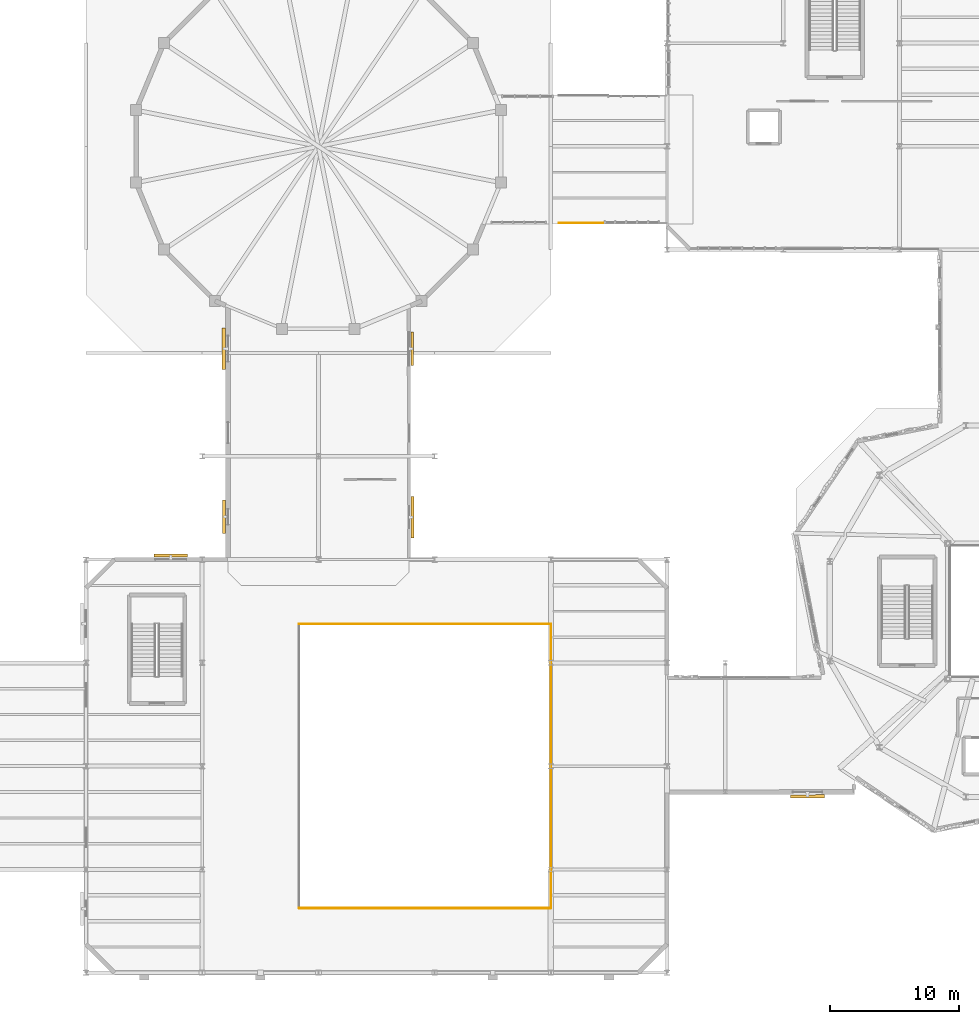
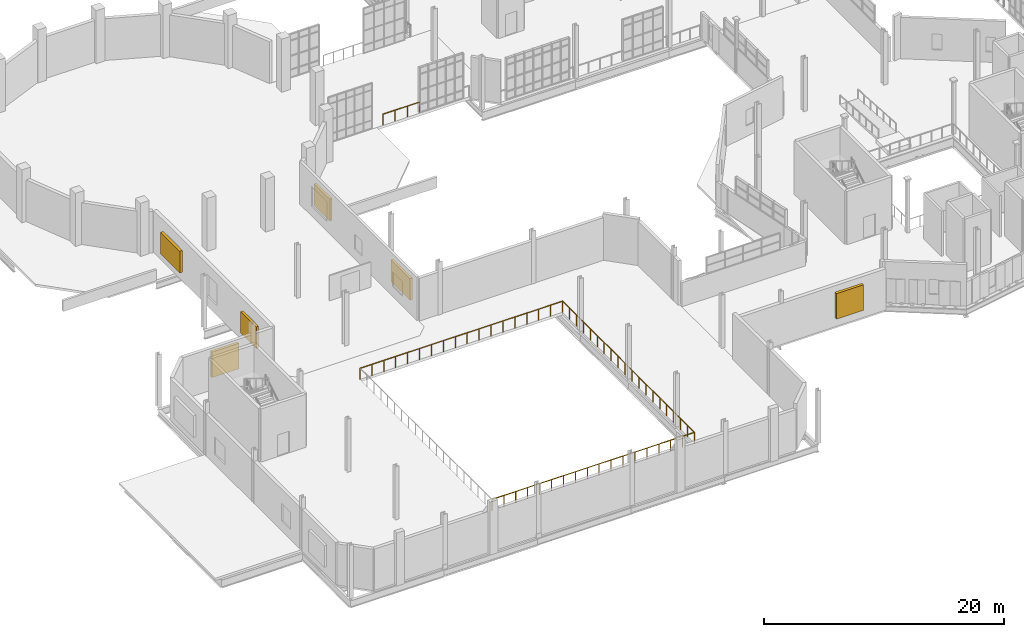
# One storey, part 132 of 142: 6 shading devices, 4 railings.
"""IFC4 building model written with IfcOpenShell, lengths in metres."""

from ifc_helpers import new_model, si_unit, direction, frame, frame_2d, origin, origin_2d, place, context, subcontext, project, spatial, rectangle, circle, extrude, material, type_object, element, save


model = new_model("IFC4")

# Units and contexts
model_context = context("Model", 3, precision=1e-05, world=origin(), true_north=direction((0.0, 1.0)))
body_context = subcontext(model_context, "Body", "Model", "MODEL_VIEW")
ifc_project = project(units=[si_unit("LENGTHUNIT", "METRE"), si_unit("AREAUNIT", "SQUARE_METRE"), si_unit("VOLUMEUNIT", "CUBIC_METRE"), si_unit("PLANEANGLEUNIT", "RADIAN"), si_unit("MASSUNIT", "GRAM", prefix="KILO"), si_unit("THERMODYNAMICTEMPERATUREUNIT", "KELVIN"), si_unit("POWERUNIT", "WATT")], contexts=[model_context])

# Site, building, storey
site_placement = place(None, origin())
site = spatial("IfcSite", under=ifc_project, at=site_placement, CompositionType="ELEMENT")
building_placement = place(site_placement, origin())
building = spatial("IfcBuilding", under=site, at=building_placement, Name="Zelmaris Science Centre", CompositionType="ELEMENT")
storey_placement = place(building_placement, frame((0.0, 0.0, 5.39990234375)))
storey = spatial("IfcBuildingStorey", under=building, at=storey_placement, Name="L01", CompositionType="ELEMENT", Elevation=5.39990234375)

# Railings
ifc_material = material(Name="Architectural bronze alloy C28000")
railing_type_1 = type_object("IfcRailingType", Name="Balustrade GD-01 H1120", PredefinedType="BALUSTRADE", material=ifc_material)
railing_1_placement = place(storey_placement, frame((49.172607421875, 66.059814453125, 0.0)))
element("IfcRailing", 1, at=railing_1_placement, inside=storey, type_object=railing_type_1, Name="L01 Perimeter safety balustrade 116", PredefinedType="BALUSTRADE", context=body_context, shape_type="SweptSolid", body=[
    extrude(circle(Radius=0.02392578125, at=origin_2d()), frame((0.0, 0.0, 1.09619140625), z_axis=(-1.0, 0.0, 0.0), x_axis=(0.0, -1.0, 0.0)), (0.0, 0.0, 1.0), 3.523193359375),
    extrude(circle(Radius=0.02099609375, at=origin_2d()), origin(), (0.0, 0.0, 1.0), 1.072021484375),
    extrude(circle(Radius=0.02099609375, at=origin_2d()), frame((-1.17431640625, 0.0, 0.0)), (0.0, 0.0, 1.0), 1.072021484375),
    extrude(circle(Radius=0.02099609375, at=origin_2d()), frame((-2.348876953125, 0.0, 0.0)), (0.0, 0.0, 1.0), 1.072021484375),
    extrude(circle(Radius=0.02099609375, at=origin_2d()), frame((-3.523193359375, 0.0, 0.0)), (0.0, 0.0, 1.0), 1.072021484375),
])
railing_type_2 = type_object("IfcRailingType", Name="Balustrade GD-02 H1150", PredefinedType="BALUSTRADE", material=ifc_material)
railing_2_placement = place(storey_placement, frame((25.5, 13.0, 0.0)))
element("IfcRailing", 2, at=railing_2_placement, inside=storey, type_object=railing_type_2, Name="L01 Theatre bowl mezzanine balustrade 6", PredefinedType="BALUSTRADE", context=body_context, shape_type="SweptSolid", body=[
    extrude(circle(Radius=0.02392578125, at=origin_2d()), frame((0.0, 0.0, 1.1259765625), z_axis=(1.0, 0.0, 0.0), x_axis=(0.0, 1.0, 0.0)), (0.0, 0.0, 1.0), 19.5),
    extrude(circle(Radius=0.02099609375, at=origin_2d()), origin(), (0.0, 0.0, 1.0), 1.101806640625),
    extrude(circle(Radius=0.02099609375, at=origin_2d()), frame((1.14697265625, 0.0, 0.0)), (0.0, 0.0, 1.0), 1.101806640625),
    extrude(circle(Radius=0.02099609375, at=origin_2d()), frame((2.294189453125, 0.0, 0.0)), (0.0, 0.0, 1.0), 1.101806640625),
    extrude(circle(Radius=0.02099609375, at=origin_2d()), frame((3.441162109375, 0.0, 0.0)), (0.0, 0.0, 1.0), 1.101806640625),
    extrude(circle(Radius=0.02099609375, at=origin_2d()), frame((4.588134765625, 0.0, 0.0)), (0.0, 0.0, 1.0), 1.101806640625),
    extrude(circle(Radius=0.02099609375, at=origin_2d()), frame((5.7353515625, 0.0, 0.0)), (0.0, 0.0, 1.0), 1.101806640625),
    extrude(circle(Radius=0.02099609375, at=origin_2d()), frame((6.88232421875, 0.0, 0.0)), (0.0, 0.0, 1.0), 1.101806640625),
    extrude(circle(Radius=0.02099609375, at=origin_2d()), frame((8.029296875, 0.0, 0.0)), (0.0, 0.0, 1.0), 1.101806640625),
    extrude(circle(Radius=0.02099609375, at=origin_2d()), frame((9.176513671875, 0.0, 0.0)), (0.0, 0.0, 1.0), 1.101806640625),
    extrude(circle(Radius=0.02099609375, at=origin_2d()), frame((10.323486328125, 0.0, 0.0)), (0.0, 0.0, 1.0), 1.101806640625),
    extrude(circle(Radius=0.02099609375, at=origin_2d()), frame((11.470703125, 0.0, 0.0)), (0.0, 0.0, 1.0), 1.101806640625),
    extrude(circle(Radius=0.02099609375, at=origin_2d()), frame((12.61767578125, 0.0, 0.0)), (0.0, 0.0, 1.0), 1.101806640625),
    extrude(circle(Radius=0.02099609375, at=origin_2d()), frame((13.7646484375, 0.0, 0.0)), (0.0, 0.0, 1.0), 1.101806640625),
    extrude(circle(Radius=0.02099609375, at=origin_2d()), frame((14.911865234375, 0.0, 0.0)), (0.0, 0.0, 1.0), 1.101806640625),
    extrude(circle(Radius=0.02099609375, at=origin_2d()), frame((16.058837890625, 0.0, 0.0)), (0.0, 0.0, 1.0), 1.101806640625),
    extrude(circle(Radius=0.02099609375, at=origin_2d()), frame((17.205810546875, 0.0, 0.0)), (0.0, 0.0, 1.0), 1.101806640625),
    extrude(circle(Radius=0.02099609375, at=origin_2d()), frame((18.35302734375, 0.0, 0.0)), (0.0, 0.0, 1.0), 1.101806640625),
    extrude(circle(Radius=0.02099609375, at=origin_2d()), frame((19.5, 0.0, 0.0)), (0.0, 0.0, 1.0), 1.101806640625),
])
railing_3_placement = place(storey_placement, frame((45.0, 13.0, 0.0)))
element("IfcRailing", 3, at=railing_3_placement, inside=storey, type_object=railing_type_2, Name="L01 Theatre bowl mezzanine balustrade 7", PredefinedType="BALUSTRADE", context=body_context, shape_type="SweptSolid", body=[
    extrude(circle(Radius=0.02392578125, at=origin_2d()), frame((0.0, 0.0, 1.1259765625), z_axis=(0.0, 1.0, 0.0), x_axis=(-1.0, 0.0, 0.0)), (0.0, 0.0, 1.0), 22.0),
    extrude(circle(Radius=0.02099609375, at=origin_2d()), origin(), (0.0, 0.0, 1.0), 1.101806640625),
    extrude(circle(Radius=0.02099609375, at=origin_2d()), frame((0.0, 1.157958984375, 0.0)), (0.0, 0.0, 1.0), 1.101806640625),
    extrude(circle(Radius=0.02099609375, at=origin_2d()), frame((0.0, 2.315673828125, 0.0)), (0.0, 0.0, 1.0), 1.101806640625),
    extrude(circle(Radius=0.02099609375, at=origin_2d()), frame((0.0, 3.4736328125, 0.0)), (0.0, 0.0, 1.0), 1.101806640625),
    extrude(circle(Radius=0.02099609375, at=origin_2d()), frame((0.0, 4.631591796875, 0.0)), (0.0, 0.0, 1.0), 1.101806640625),
    extrude(circle(Radius=0.02099609375, at=origin_2d()), frame((0.0, 5.78955078125, 0.0)), (0.0, 0.0, 1.0), 1.101806640625),
    extrude(circle(Radius=0.02099609375, at=origin_2d()), frame((0.0, 6.947265625, 0.0)), (0.0, 0.0, 1.0), 1.101806640625),
    extrude(circle(Radius=0.02099609375, at=origin_2d()), frame((0.0, 8.105224609375, 0.0)), (0.0, 0.0, 1.0), 1.101806640625),
    extrude(circle(Radius=0.02099609375, at=origin_2d()), frame((0.0, 9.26318359375, 0.0)), (0.0, 0.0, 1.0), 1.101806640625),
    extrude(circle(Radius=0.02099609375, at=origin_2d()), frame((0.0, 10.421142578125, 0.0)), (0.0, 0.0, 1.0), 1.101806640625),
    extrude(circle(Radius=0.02099609375, at=origin_2d()), frame((0.0, 11.578857421875, 0.0)), (0.0, 0.0, 1.0), 1.101806640625),
    extrude(circle(Radius=0.02099609375, at=origin_2d()), frame((0.0, 12.73681640625, 0.0)), (0.0, 0.0, 1.0), 1.101806640625),
    extrude(circle(Radius=0.02099609375, at=origin_2d()), frame((0.0, 13.894775390625, 0.0)), (0.0, 0.0, 1.0), 1.101806640625),
    extrude(circle(Radius=0.02099609375, at=origin_2d()), frame((0.0, 15.052734375, 0.0)), (0.0, 0.0, 1.0), 1.101806640625),
    extrude(circle(Radius=0.02099609375, at=origin_2d()), frame((0.0, 16.21044921875, 0.0)), (0.0, 0.0, 1.0), 1.101806640625),
    extrude(circle(Radius=0.02099609375, at=origin_2d()), frame((0.0, 17.368408203125, 0.0)), (0.0, 0.0, 1.0), 1.101806640625),
    extrude(circle(Radius=0.02099609375, at=origin_2d()), frame((0.0, 18.5263671875, 0.0)), (0.0, 0.0, 1.0), 1.101806640625),
    extrude(circle(Radius=0.02099609375, at=origin_2d()), frame((0.0, 19.684326171875, 0.0)), (0.0, 0.0, 1.0), 1.101806640625),
    extrude(circle(Radius=0.02099609375, at=origin_2d()), frame((0.0, 20.842041015625, 0.0)), (0.0, 0.0, 1.0), 1.101806640625),
    extrude(circle(Radius=0.02099609375, at=origin_2d()), frame((0.0, 22.0, 0.0)), (0.0, 0.0, 1.0), 1.101806640625),
])
railing_4_placement = place(storey_placement, frame((45.0, 35.0, 0.0)))
element("IfcRailing", 4, at=railing_4_placement, inside=storey, type_object=railing_type_2, Name="L01 Theatre bowl mezzanine balustrade 8", PredefinedType="BALUSTRADE", context=body_context, shape_type="SweptSolid", body=[
    extrude(circle(Radius=0.02392578125, at=origin_2d()), frame((0.0, 0.0, 1.1259765625), z_axis=(-1.0, 0.0, 0.0), x_axis=(0.0, -1.0, 0.0)), (0.0, 0.0, 1.0), 19.5),
    extrude(circle(Radius=0.02099609375, at=origin_2d()), origin(), (0.0, 0.0, 1.0), 1.101806640625),
    extrude(circle(Radius=0.02099609375, at=origin_2d()), frame((-1.14697265625, 0.0, 0.0)), (0.0, 0.0, 1.0), 1.101806640625),
    extrude(circle(Radius=0.02099609375, at=origin_2d()), frame((-2.294189453125, 0.0, 0.0)), (0.0, 0.0, 1.0), 1.101806640625),
    extrude(circle(Radius=0.02099609375, at=origin_2d()), frame((-3.441162109375, 0.0, 0.0)), (0.0, 0.0, 1.0), 1.101806640625),
    extrude(circle(Radius=0.02099609375, at=origin_2d()), frame((-4.588134765625, 0.0, 0.0)), (0.0, 0.0, 1.0), 1.101806640625),
    extrude(circle(Radius=0.02099609375, at=origin_2d()), frame((-5.7353515625, 0.0, 0.0)), (0.0, 0.0, 1.0), 1.101806640625),
    extrude(circle(Radius=0.02099609375, at=origin_2d()), frame((-6.88232421875, 0.0, 0.0)), (0.0, 0.0, 1.0), 1.101806640625),
    extrude(circle(Radius=0.02099609375, at=origin_2d()), frame((-8.029296875, 0.0, 0.0)), (0.0, 0.0, 1.0), 1.101806640625),
    extrude(circle(Radius=0.02099609375, at=origin_2d()), frame((-9.176513671875, 0.0, 0.0)), (0.0, 0.0, 1.0), 1.101806640625),
    extrude(circle(Radius=0.02099609375, at=origin_2d()), frame((-10.323486328125, 0.0, 0.0)), (0.0, 0.0, 1.0), 1.101806640625),
    extrude(circle(Radius=0.02099609375, at=origin_2d()), frame((-11.470703125, 0.0, 0.0)), (0.0, 0.0, 1.0), 1.101806640625),
    extrude(circle(Radius=0.02099609375, at=origin_2d()), frame((-12.61767578125, 0.0, 0.0)), (0.0, 0.0, 1.0), 1.101806640625),
    extrude(circle(Radius=0.02099609375, at=origin_2d()), frame((-13.7646484375, 0.0, 0.0)), (0.0, 0.0, 1.0), 1.101806640625),
    extrude(circle(Radius=0.02099609375, at=origin_2d()), frame((-14.911865234375, 0.0, 0.0)), (0.0, 0.0, 1.0), 1.101806640625),
    extrude(circle(Radius=0.02099609375, at=origin_2d()), frame((-16.058837890625, 0.0, 0.0)), (0.0, 0.0, 1.0), 1.101806640625),
    extrude(circle(Radius=0.02099609375, at=origin_2d()), frame((-17.205810546875, 0.0, 0.0)), (0.0, 0.0, 1.0), 1.101806640625),
    extrude(circle(Radius=0.02099609375, at=origin_2d()), frame((-18.35302734375, 0.0, 0.0)), (0.0, 0.0, 1.0), 1.101806640625),
    extrude(circle(Radius=0.02099609375, at=origin_2d()), frame((-19.5, 0.0, 0.0)), (0.0, 0.0, 1.0), 1.101806640625),
])

# Shading devices
shading_device_type_1 = type_object("IfcShadingDeviceType", Name="Bronze Storm Louvre LV-01 2600x2200", PredefinedType="JALOUSIE", material=ifc_material)
for number, where, z_axis, x_axis, name in (
    (5, (19.6796875, 42.009033203125, 0.9501953125), (0.0, 0.0, 1.0), (-9.3896713e-05, 0.999999995592, 0.0), "L01 Bronze storm louvre 4"),
    (6, (34.266845703125, 57.613525390625, 0.9501953125), (0.0, 0.0, 1.0), (0.000845070121, -0.999999642928, 0.0), "L01 Bronze storm louvre 10"),
):
    element("IfcShadingDevice", number, at=place(storey_placement, frame(where, z_axis=z_axis, x_axis=x_axis)), inside=storey, type_object=shading_device_type_1, Name=name, PredefinedType="JALOUSIE", context=body_context, shape_type="SweptSolid", body=[
        extrude(rectangle(XDim=2.60009765625, YDim=0.219970703125, at=frame_2d((1.300048828125, 0.0))), origin(), (0.0, 0.0, 1.0), 2.199951171875),
    ])
shading_device_type_2 = type_object("IfcShadingDeviceType", Name="Bronze Storm Louvre LV-02 3200x2200", PredefinedType="JALOUSIE", material=ifc_material)
shading_device_1_placement = place(storey_placement, frame((19.669189453125, 54.72900390625, 0.9501953125), z_axis=(0.0, 0.0, 1.0), x_axis=(-7.6289289e-05, 0.99999999709, 0.0)))
element("IfcShadingDevice", 7, at=shading_device_1_placement, inside=storey, type_object=shading_device_type_2, Name="L01 Bronze storm louvre 5", PredefinedType="JALOUSIE", context=body_context, shape_type="SweptSolid", body=[
    extrude(rectangle(XDim=3.2001953125, YDim=0.239990234375, at=frame_2d((1.60009765625, 0.0))), origin(), (0.0, 0.0, 1.0), 2.199951171875),
])
shading_device_2_placement = place(storey_placement, frame((34.2880859375, 44.876953125, 0.9501953125), z_axis=(0.0, 0.0, 1.0), x_axis=(0.00091554093, -0.999999580892, 0.0)))
element("IfcShadingDevice", 8, at=shading_device_2_placement, inside=storey, type_object=shading_device_type_2, Name="L01 Bronze storm louvre 11", PredefinedType="JALOUSIE", context=body_context, shape_type="SweptSolid", body=[
    extrude(rectangle(XDim=3.199951171875, YDim=0.239990234375, at=frame_2d((1.60009765625, 0.0))), origin(), (0.0, 0.0, 1.0), 2.199951171875),
])
shading_device_type_3 = type_object("IfcShadingDeviceType", Name="Bronze Storm Louvre LV-03 2600x2600", PredefinedType="JALOUSIE", material=ifc_material)
for number, where, z_axis, x_axis, name in (
    (9, (14.27001953125, 40.320068359375, 0.9501953125), (0.0, 0.0, 1.0), (1.0, 0.0, 0.0), "L01 Bronze storm louvre 3"),
    (10, (66.180908203125, 21.657958984375, 0.9501953125), (0.0, 0.0, 1.0), (-0.999999559171, -0.000938966722, 0.0), "L01 Bronze storm louvre 9"),
):
    element("IfcShadingDevice", number, at=place(storey_placement, frame(where, z_axis=z_axis, x_axis=x_axis)), inside=storey, type_object=shading_device_type_3, Name=name, PredefinedType="JALOUSIE", context=body_context, shape_type="SweptSolid", body=[
        extrude(rectangle(XDim=2.60009765625, YDim=0.260009765625, at=frame_2d((1.300048828125, 0.0))), origin(), (0.0, 0.0, 1.0), 2.599853515625),
    ])

save(model, "model.ifc")
